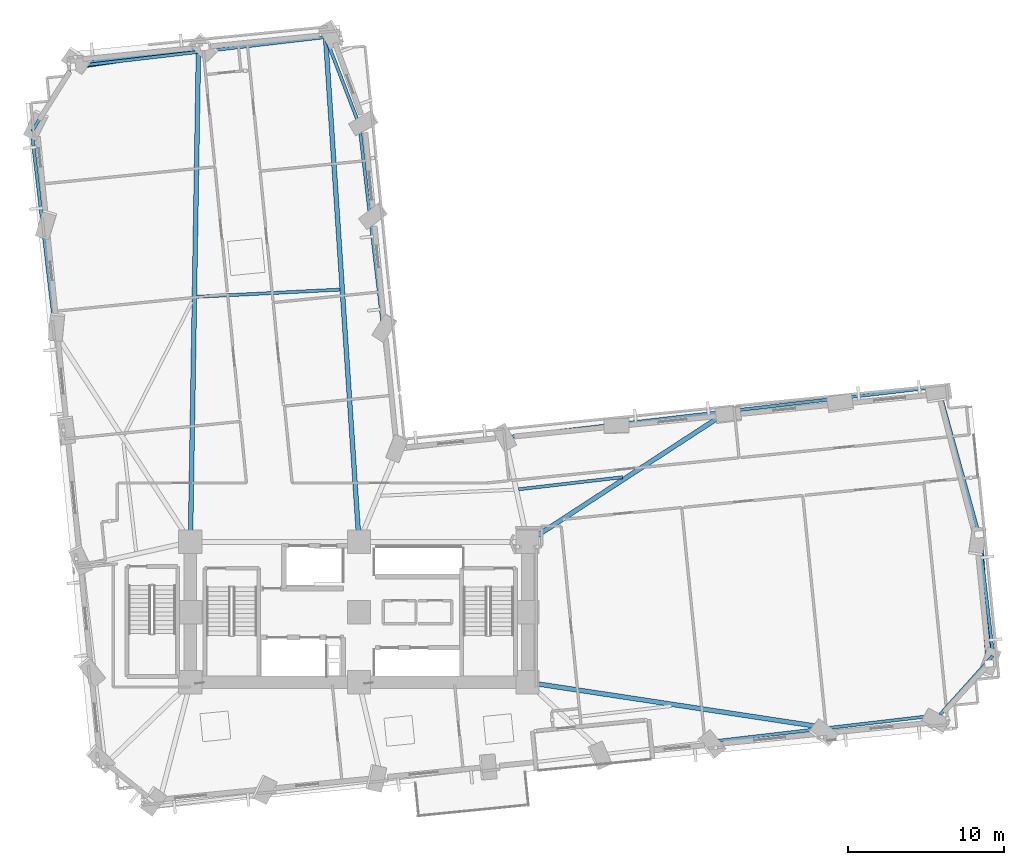
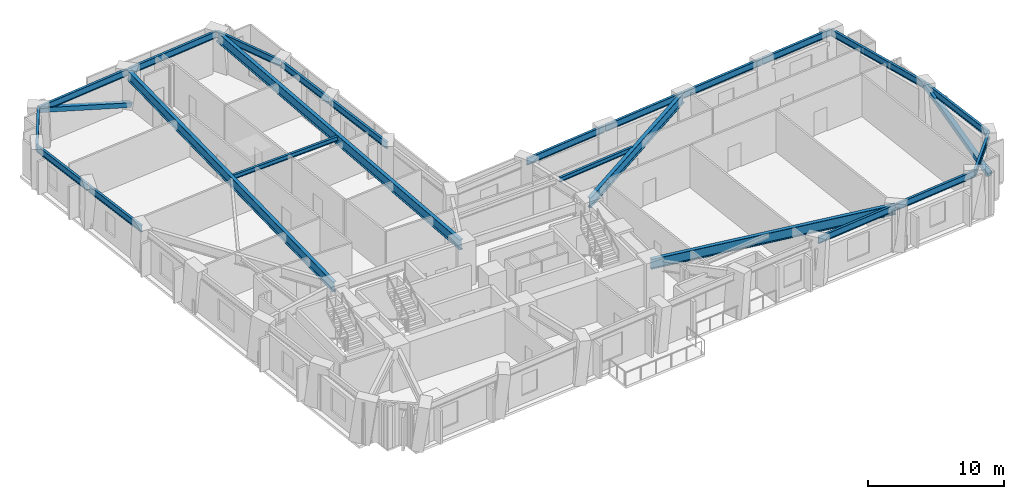
# One storey, part 2 of 16: 23 beams, 2 members.
"""IFC4 building model written with IfcOpenShell, lengths in metres."""

from ifc_helpers import new_model, si_unit, direction, frame, origin, origin_2d, place, context, subcontext, project, spatial, hollow_rectangle, i_section, extrude, material, material_profile, profile_set, type_object, element, save


model = new_model("IFC4")

# Units and contexts
model_context = context("Model", 3, precision=1e-05, world=origin(), true_north=direction((0.0, 1.0)))
body_context = subcontext(model_context, "Body", "Model", "MODEL_VIEW")
ifc_project = project(units=[si_unit("LENGTHUNIT", "METRE"), si_unit("AREAUNIT", "SQUARE_METRE"), si_unit("VOLUMEUNIT", "CUBIC_METRE"), si_unit("PLANEANGLEUNIT", "RADIAN"), si_unit("MASSUNIT", "GRAM", prefix="KILO")], contexts=[model_context])

# Site, building, storey
site_placement = place(None, origin())
site = spatial("IfcSite", under=ifc_project, at=site_placement, CompositionType="ELEMENT")
building_placement = place(site_placement, origin())
building = spatial("IfcBuilding", under=site, at=building_placement, Name="Gaonmaruhae Medical Tower", CompositionType="ELEMENT")
storey_placement = place(building_placement, frame((0.0, 0.0, 47.0)))
storey = spatial("IfcBuildingStorey", under=building, at=storey_placement, Name="L10", CompositionType="ELEMENT", Elevation=47.0)

# Beams
ifc_material_1 = material(Name="Steel SM355", Category="steel")
ifc_material_profile_1 = material_profile(ifc_material_1, i_section(OverallWidth=0.199951171875, OverallDepth=0.39990234375, WebThickness=0.008056640625, FlangeThickness=0.012939453125, FilletRadius=0.012939453125, at=origin_2d()), Name="H-400x200x8x13")
ifc_profile_set_1 = profile_set([ifc_material_profile_1], Name="Steel SM355")
beam_type_1 = type_object("IfcBeamType", Name="FJ-01 Lower Zone Ward Floor Joist (H-400x200x8x13)", PredefinedType="JOIST", material=ifc_profile_set_1)
beam_1_placement = place(storey_placement, frame((41.6875, 20.94677734375, 3.580078125), z_axis=(-0.993272432708, -0.115801012185, 0.0), x_axis=(0.115801012185, -0.993272432708, 0.0)))
element("IfcBeam", 1, at=beam_1_placement, inside=storey, type_object=beam_type_1, Name="L10 Secondary Floor Joist FJ05", PredefinedType="JOIST", context=body_context, shape_type="SweptSolid", body=[
    extrude(i_section(OverallWidth=0.199951171875, OverallDepth=0.39990234375, WebThickness=0.008056640625, FlangeThickness=0.012939453125, FilletRadius=0.012939453125, at=origin_2d()), origin(), (0.0, 0.0, 1.0), 6.7001953125),
])
beam_2_placement = place(storey_placement, frame((23.57275390625, 32.965576171875, 3.580078125), z_axis=(-0.998745825353, -0.050067717539, 0.0), x_axis=(0.050067717539, -0.998745825353, 0.0)))
element("IfcBeam", 2, at=beam_2_placement, inside=storey, type_object=beam_type_1, Name="L10 Secondary Floor Joist FJ08", PredefinedType="JOIST", context=body_context, shape_type="SweptSolid", body=[
    extrude(i_section(OverallWidth=0.199951171875, OverallDepth=0.39990234375, WebThickness=0.008056640625, FlangeThickness=0.012939453125, FilletRadius=0.012939453125, at=origin_2d()), origin(), (0.0, 0.0, 1.0), 9.172119140625),
])

# Members
ifc_material_2 = material(Name="Steel SM420", Category="steel")
ifc_material_profile_2 = material_profile(ifc_material_2, hollow_rectangle(XDim=0.39990234375, YDim=0.39990234375, WallThickness=0.01611328125, at=origin_2d()), Name="RHS-400x400x16")
ifc_profile_set_2 = profile_set([ifc_material_profile_2], Name="Steel SM420")
member_type = type_object("IfcMemberType", Name="PB-01 Perimeter Solid-Bay Tube Brace Lower (RHS-400x400x16)", PredefinedType="BRACE", material=ifc_profile_set_2)
member_1_placement = place(storey_placement, frame((65.174560546875, 9.0078125, 0.25), z_axis=(-0.072368746842, 0.927168137701, 0.367589457019), x_axis=(-0.99696767166, -0.077816846919, 0.0)))
element("IfcMember", 3, at=member_1_placement, inside=storey, type_object=member_type, Name="L10 Perimeter Tube Solid-Bay Brace E01-E02", PredefinedType="BRACE", context=body_context, shape_type="SweptSolid", body=[
    extrude(hollow_rectangle(XDim=0.39990234375, YDim=0.39990234375, WallThickness=0.01611328125, at=origin_2d()), origin(), (0.0, 0.0, 1.0), 8.923095703125),
])
member_2_placement = place(storey_placement, frame((14.902587890625, 48.51025390625, 0.25), z_axis=(-0.924670722477, -0.136818788003, 0.355337409012), x_axis=(0.146371253303, -0.989229728732, 0.0)))
element("IfcMember", 4, at=member_2_placement, inside=storey, type_object=member_type, Name="L10 Perimeter Tube Solid-Bay Brace N02-N03", PredefinedType="BRACE", context=body_context, shape_type="SweptSolid", body=[
    extrude(hollow_rectangle(XDim=0.39990234375, YDim=0.39990234375, WallThickness=0.01611328125, at=origin_2d()), origin(), (0.0, 0.0, 1.0), 9.230712890625),
])

# Beams
ifc_material_profile_3 = material_profile(ifc_material_2, i_section(OverallWidth=0.300048828125, OverallDepth=0.89990234375, WebThickness=0.01611328125, FlangeThickness=0.028076171875, FilletRadius=0.01806640625, at=origin_2d()), Name="H-900x300x16x28")
ifc_profile_set_3 = profile_set([ifc_material_profile_3], Name="Steel SM420")
beam_type_2 = type_object("IfcBeamType", Name="PG-01 Zone 1 Radial Floor Girder (H-900x300x16x28)", PredefinedType="BEAM", material=ifc_profile_set_3)
beam_3_placement = place(storey_placement, frame((35.6494140625, 7.79248046875, 3.330078125), z_axis=(0.988665896128, -0.150132427651, 0.0), x_axis=(0.150132427651, 0.988665896128, 0.0)))
element("IfcBeam", 5, at=beam_3_placement, inside=storey, type_object=beam_type_2, Name="L10 Radial Primary Girder S07", PredefinedType="BEAM", context=body_context, shape_type="SweptSolid", body=[
    extrude(i_section(OverallWidth=0.300048828125, OverallDepth=0.89990234375, WebThickness=0.01611328125, FlangeThickness=0.028076171875, FilletRadius=0.01806640625, at=origin_2d()), origin(), (0.0, 0.0, 1.0), 19.370849609375),
])
beam_4_placement = place(storey_placement, frame((35.641845703125, 16.827392578125, 3.330078125), z_axis=(0.837965380523, 0.54572339243, 0.0), x_axis=(-0.54572339243, 0.837965380523, 0.0)))
element("IfcBeam", 6, at=beam_4_placement, inside=storey, type_object=beam_type_2, Name="L10 Radial Primary Girder EN02", PredefinedType="BEAM", context=body_context, shape_type="SweptSolid", body=[
    extrude(i_section(OverallWidth=0.300048828125, OverallDepth=0.89990234375, WebThickness=0.01611328125, FlangeThickness=0.028076171875, FilletRadius=0.01806640625, at=origin_2d()), origin(), (0.0, 0.0, 1.0), 15.242919921875),
])
beam_5_placement = place(storey_placement, frame((24.796630859375, 16.849853515625, 3.330078125), z_axis=(-0.06610885926, 0.997812416603, 0.0), x_axis=(-0.997812416603, -0.06610885926, 0.0)))
element("IfcBeam", 7, at=beam_5_placement, inside=storey, type_object=beam_type_2, Name="L10 Radial Primary Girder N01", PredefinedType="BEAM", context=body_context, shape_type="SweptSolid", body=[
    extrude(i_section(OverallWidth=0.300048828125, OverallDepth=0.89990234375, WebThickness=0.01611328125, FlangeThickness=0.028076171875, FilletRadius=0.01806640625, at=origin_2d()), origin(), (0.0, 0.0, 1.0), 32.317626953125),
])
beam_6_placement = place(storey_placement, frame((14.000732421875, 16.85009765625, 3.330078125), z_axis=(0.016309300779, 0.999866994509, 0.0), x_axis=(-0.999866994509, 0.016309300779, 0.0)))
element("IfcBeam", 8, at=beam_6_placement, inside=storey, type_object=beam_type_2, Name="L10 Radial Primary Girder N02", PredefinedType="BEAM", context=body_context, shape_type="SweptSolid", body=[
    extrude(i_section(OverallWidth=0.300048828125, OverallDepth=0.89990234375, WebThickness=0.01611328125, FlangeThickness=0.028076171875, FilletRadius=0.01806640625, at=origin_2d()), origin(), (0.0, 0.0, 1.0), 31.301025390625),
])
ifc_material_profile_4 = material_profile(ifc_material_1, i_section(OverallWidth=0.199951171875, OverallDepth=0.60009765625, WebThickness=0.010986328125, FlangeThickness=0.01708984375, FilletRadius=0.012939453125, at=origin_2d()), Name="H-600x200x11x17")
ifc_profile_set_4 = profile_set([ifc_material_profile_4], Name="Steel SM355")
beam_type_3 = type_object("IfcBeamType", Name="SP-01 Lower Perimeter Spandrel Beam (H-600x200x11x17)", PredefinedType="SPANDREL", material=ifc_profile_set_4)
for number, where, z_axis, x_axis, name in (
    (9, (47.73828125, 4.047607421875, 3.47998046875), (0.99327293665, 0.11579668958, 0.0), (-0.11579668958, 0.99327293665, 0.0), "L10 Perimeter Spandrel Beam S06-S07"),
    (10, (54.889892578125, 4.88134765625, 3.47998046875), (0.993268992154, 0.115830519401, 0.0), (-0.115830519401, 0.993268992154, 0.0), "L10 Perimeter Spandrel Beam S07-S08"),
):
    element("IfcBeam", number, at=place(storey_placement, frame(where, z_axis=z_axis, x_axis=x_axis)), inside=storey, type_object=beam_type_3, Name=name, PredefinedType="SPANDREL", context=body_context, shape_type="SweptSolid", body=[
        extrude(i_section(OverallWidth=0.199951171875, OverallDepth=0.60009765625, WebThickness=0.010986328125, FlangeThickness=0.01708984375, FilletRadius=0.012939453125, at=origin_2d()), origin(), (0.0, 0.0, 1.0), 7.119873046875),
    ])
beam_7_placement = place(storey_placement, frame((62.0283203125, 5.740478515625, 3.47998046875), z_axis=(0.667856937745, 0.744289668547, 0.0), x_axis=(-0.744289668547, 0.667856937745, 0.0)))
element("IfcBeam", 11, at=beam_7_placement, inside=storey, type_object=beam_type_3, Name="L10 Perimeter Spandrel Beam S08-E01", PredefinedType="SPANDREL", context=body_context, shape_type="SweptSolid", body=[
    extrude(i_section(OverallWidth=0.199951171875, OverallDepth=0.60009765625, WebThickness=0.010986328125, FlangeThickness=0.01708984375, FilletRadius=0.012939453125, at=origin_2d()), origin(), (0.0, 0.0, 1.0), 5.056396484375),
])
beam_8_placement = place(storey_placement, frame((65.427490234375, 9.5732421875, 3.47998046875), z_axis=(-0.115806341282, 0.993271811398, 0.0), x_axis=(-0.993271811398, -0.115806341282, 0.0)))
element("IfcBeam", 12, at=beam_8_placement, inside=storey, type_object=beam_type_3, Name="L10 Perimeter Spandrel Beam E01-E02", PredefinedType="SPANDREL", context=body_context, shape_type="SweptSolid", body=[
    extrude(i_section(OverallWidth=0.199951171875, OverallDepth=0.60009765625, WebThickness=0.010986328125, FlangeThickness=0.01708984375, FilletRadius=0.012939453125, at=origin_2d()), origin(), (0.0, 0.0, 1.0), 7.72021484375),
])
beam_9_placement = place(storey_placement, frame((64.51806640625, 17.319580078125, 3.47998046875), z_axis=(-0.26622470833, 0.963910994166, 0.0), x_axis=(-0.963910994166, -0.26622470833, 0.0)))
element("IfcBeam", 13, at=beam_9_placement, inside=storey, type_object=beam_type_3, Name="L10 Perimeter Spandrel Beam E02-E03", PredefinedType="SPANDREL", context=body_context, shape_type="SweptSolid", body=[
    extrude(i_section(OverallWidth=0.199951171875, OverallDepth=0.60009765625, WebThickness=0.010986328125, FlangeThickness=0.01708984375, FilletRadius=0.012939453125, at=origin_2d()), origin(), (0.0, 0.0, 1.0), 9.7353515625),
])
beam_10_placement = place(storey_placement, frame((61.8759765625, 26.737548828125, 3.47998046875), z_axis=(-0.993272845743, -0.115797469355, 0.0), x_axis=(0.115797469355, -0.993272845743, 0.0)))
element("IfcBeam", 14, at=beam_10_placement, inside=storey, type_object=beam_type_3, Name="L10 Perimeter Spandrel Beam E03-EN01", PredefinedType="SPANDREL", context=body_context, shape_type="SweptSolid", body=[
    extrude(i_section(OverallWidth=0.199951171875, OverallDepth=0.60009765625, WebThickness=0.010986328125, FlangeThickness=0.01708984375, FilletRadius=0.012939453125, at=origin_2d()), origin(), (0.0, 0.0, 1.0), 6.270263671875),
])
for number, where, z_axis, x_axis, name in (
    (15, (55.568603515625, 26.002197265625, 3.47998046875), (-0.99327293665, -0.11579668958, 0.0), (0.11579668958, -0.99327293665, 0.0), "L10 Perimeter Spandrel Beam EN01-EN02"),
    (16, (48.4169921875, 25.16845703125, 3.47998046875), (-0.993268992154, -0.115830519401, 0.0), (0.115830519401, -0.993268992154, 0.0), "L10 Perimeter Spandrel Beam EN02-EN03"),
    (17, (41.265380859375, 24.33447265625, 3.47998046875), (-0.99327293665, -0.11579668958, 0.0), (0.11579668958, -0.99327293665, 0.0), "L10 Perimeter Spandrel Beam EN03-EN04"),
    (18, (26.348388671875, 30.438232421875, 3.47998046875), (-0.115830519401, 0.993268992154, 0.0), (-0.993268992154, -0.115830519401, 0.0), "L10 Perimeter Spandrel Beam NE01-NE02"),
):
    element("IfcBeam", number, at=place(storey_placement, frame(where, z_axis=z_axis, x_axis=x_axis)), inside=storey, type_object=beam_type_3, Name=name, PredefinedType="SPANDREL", context=body_context, shape_type="SweptSolid", body=[
        extrude(i_section(OverallWidth=0.199951171875, OverallDepth=0.60009765625, WebThickness=0.010986328125, FlangeThickness=0.01708984375, FilletRadius=0.012939453125, at=origin_2d()), origin(), (0.0, 0.0, 1.0), 7.119873046875),
    ])
beam_11_placement = place(storey_placement, frame((25.514404296875, 37.589599609375, 3.47998046875), z_axis=(-0.11579797334, 0.993272786988, 0.0), x_axis=(-0.993272786988, -0.11579797334, 0.0)))
element("IfcBeam", 19, at=beam_11_placement, inside=storey, type_object=beam_type_3, Name="L10 Perimeter Spandrel Beam NE02-NE03", PredefinedType="SPANDREL", context=body_context, shape_type="SweptSolid", body=[
    extrude(i_section(OverallWidth=0.199951171875, OverallDepth=0.60009765625, WebThickness=0.010986328125, FlangeThickness=0.01708984375, FilletRadius=0.012939453125, at=origin_2d()), origin(), (0.0, 0.0, 1.0), 5.920166015625),
])
beam_12_placement = place(storey_placement, frame((24.81005859375, 43.546875, 3.47998046875), z_axis=(-0.358882991778, 0.933382557268, 0.0), x_axis=(-0.933382557268, -0.358882991778, 0.0)))
element("IfcBeam", 20, at=beam_12_placement, inside=storey, type_object=beam_type_3, Name="L10 Perimeter Spandrel Beam NE03-N01", PredefinedType="SPANDREL", context=body_context, shape_type="SweptSolid", body=[
    extrude(i_section(OverallWidth=0.199951171875, OverallDepth=0.60009765625, WebThickness=0.010986328125, FlangeThickness=0.01708984375, FilletRadius=0.012939453125, at=origin_2d()), origin(), (0.0, 0.0, 1.0), 5.959228515625),
])
for number, where, z_axis, x_axis, name in (
    (21, (22.6171875, 49.141845703125, 3.47998046875), (-0.993274208618, -0.115785778466, 0.0), (0.115785778466, -0.993274208618, 0.0), "L10 Perimeter Spandrel Beam N01-N02"),
    (22, (14.472412109375, 48.1923828125, 3.47998046875), (-0.993270750337, -0.115815441648, 0.0), (0.115815441648, -0.993270750337, 0.0), "L10 Perimeter Spandrel Beam N02-N03"),
):
    element("IfcBeam", number, at=place(storey_placement, frame(where, z_axis=z_axis, x_axis=x_axis)), inside=storey, type_object=beam_type_3, Name=name, PredefinedType="SPANDREL", context=body_context, shape_type="SweptSolid", body=[
        extrude(i_section(OverallWidth=0.199951171875, OverallDepth=0.60009765625, WebThickness=0.010986328125, FlangeThickness=0.01708984375, FilletRadius=0.012939453125, at=origin_2d()), origin(), (0.0, 0.0, 1.0), 8.1201171875),
    ])
beam_13_placement = place(storey_placement, frame((6.346435546875, 47.213134765625, 3.47998046875), z_axis=(-0.519177179234, -0.854666634754, 0.0), x_axis=(0.854666634754, -0.519177179234, 0.0)))
element("IfcBeam", 23, at=beam_13_placement, inside=storey, type_object=beam_type_3, Name="L10 Perimeter Spandrel Beam N03-W01", PredefinedType="SPANDREL", context=body_context, shape_type="SweptSolid", body=[
    extrude(i_section(OverallWidth=0.199951171875, OverallDepth=0.60009765625, WebThickness=0.010986328125, FlangeThickness=0.01708984375, FilletRadius=0.012939453125, at=origin_2d()), origin(), (0.0, 0.0, 1.0), 4.80078125),
])
beam_14_placement = place(storey_placement, frame((3.837890625, 43.0361328125, 3.47998046875), z_axis=(0.11581019498, -0.993271362085, 0.0), x_axis=(0.993271362085, 0.11581019498, 0.0)))
element("IfcBeam", 24, at=beam_14_placement, inside=storey, type_object=beam_type_3, Name="L10 Perimeter Spandrel Beam W01-W02", PredefinedType="SPANDREL", context=body_context, shape_type="SweptSolid", body=[
    extrude(i_section(OverallWidth=0.199951171875, OverallDepth=0.60009765625, WebThickness=0.010986328125, FlangeThickness=0.01708984375, FilletRadius=0.012939453125, at=origin_2d()), origin(), (0.0, 0.0, 1.0), 6.320068359375),
])
beam_15_placement = place(storey_placement, frame((4.5791015625, 36.67919921875, 3.47998046875), z_axis=(0.115817897352, -0.993270463999, 0.0), x_axis=(0.993270463999, 0.115817897352, 0.0)))
element("IfcBeam", 25, at=beam_15_placement, inside=storey, type_object=beam_type_3, Name="L10 Perimeter Spandrel Beam W02-W03", PredefinedType="SPANDREL", context=body_context, shape_type="SweptSolid", body=[
    extrude(i_section(OverallWidth=0.199951171875, OverallDepth=0.60009765625, WebThickness=0.010986328125, FlangeThickness=0.01708984375, FilletRadius=0.012939453125, at=origin_2d()), origin(), (0.0, 0.0, 1.0), 6.52001953125),
])

save(model, "model.ifc")
